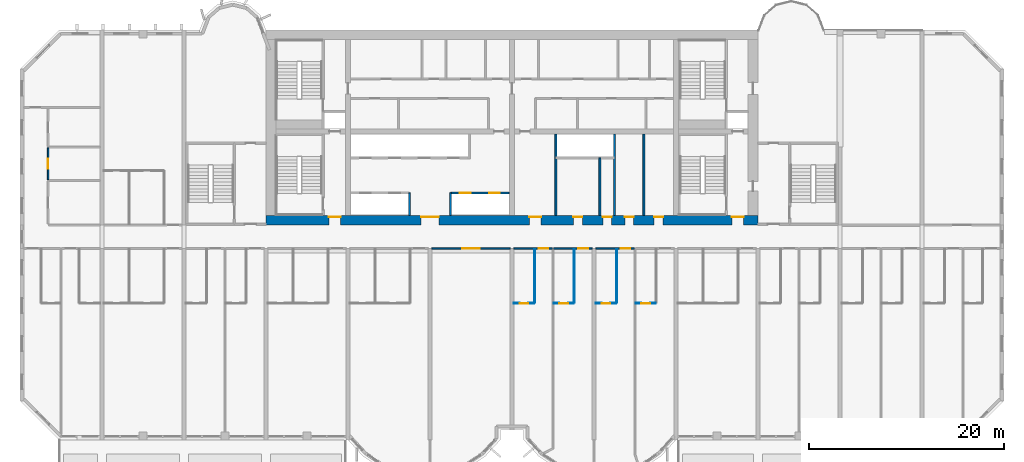
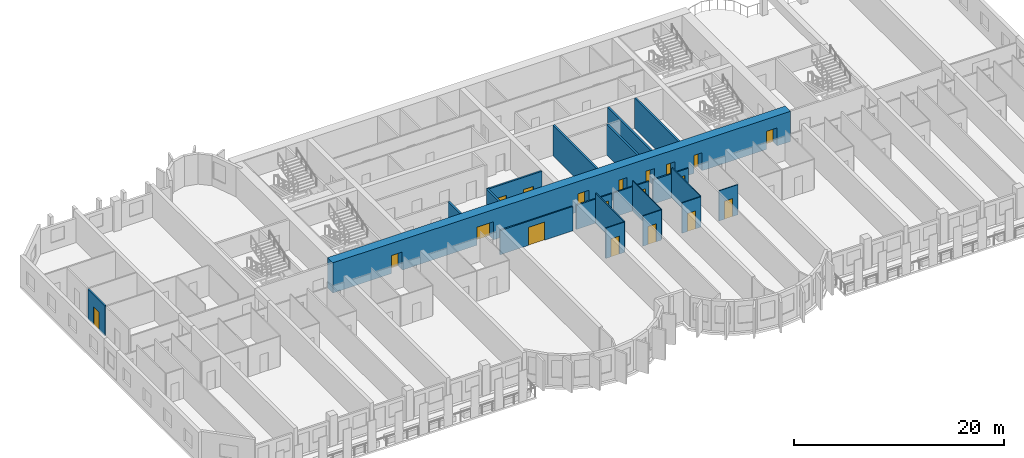
# One storey, part 5 of 14: 20 walls, 19 doors, 19 openings.
"""IFC4 building model written with IfcOpenShell, lengths in metres."""

import ifcopenshell
import ifcopenshell.guid

model = None  # the IFC model being written
_history = None  # IfcOwnerHistory: only IFC2X3 demands one
_inside = {}  # id of a spatial element -> (the spatial element, [elements in it])
_under = {}  # id of a project, library or spatial element -> (it, [spatial elements below it])
_declared = {}  # id of a project -> (the project, [libraries it declares])
_typed = {}  # id of a type object -> (the type object, [elements of that type])
_made_of = {}  # id of a material, layer set ... -> (it, [elements and type objects made of it])


def new_model(schema):
    """Start an empty IFC model of exactly this schema.

    Asked for "IFC4X3", IfcOpenShell would pick the latest addendum, in which some entities
    have other attributes; the version numbers below select the first issue.
    IFC2X3 requires an IfcOwnerHistory on every rooted entity: one is made here for all.
    """
    global model, _history
    if schema == "IFC4X3":
        model = ifcopenshell.file(schema_version=(4, 3, 0, 0))
    else:
        model = ifcopenshell.file(schema=schema)
    _inside.clear()
    _under.clear()
    _declared.clear()
    _typed.clear()
    _made_of.clear()
    _history = None
    if model.schema == "IFC2X3":
        org = make("IfcOrganization", Name="unknown")
        user = make(
            "IfcPersonAndOrganization",
            ThePerson=make("IfcPerson", FamilyName="unknown"),
            TheOrganization=org,
        )
        app = make(
            "IfcApplication",
            ApplicationDeveloper=org,
            Version="unknown",
            ApplicationFullName="unknown",
            ApplicationIdentifier="unknown",
        )
        _history = make(
            "IfcOwnerHistory",
            OwningUser=user,
            OwningApplication=app,
            ChangeAction="ADDED",
            CreationDate=0,
        )
    return model


def make(cls, **values):
    """One entity of the class cls with the attributes given. An attribute that is None is left unset."""
    return model.create_entity(
        cls, **{name: value for name, value in values.items() if value is not None}
    )


def rooted(cls, **values):
    """An entity with a GlobalId (a new one), such as an element, a storey or a relation."""
    return make(cls, GlobalId=ifcopenshell.guid.new(), OwnerHistory=_history, **values)


def si_unit(unit_type, name, prefix=None):
    """IfcSIUnit, for example si_unit("LENGTHUNIT", "METRE", prefix="MILLI")."""
    return make("IfcSIUnit", UnitType=unit_type, Prefix=prefix, Name=name)


def assignment(units):
    """IfcUnitAssignment: the units of a project."""
    return None if units is None else make("IfcUnitAssignment", Units=units)


def point(xyz):
    """IfcCartesianPoint."""
    return None if xyz is None else make("IfcCartesianPoint", Coordinates=xyz)


def direction(xyz):
    """IfcDirection."""
    return None if xyz is None else make("IfcDirection", DirectionRatios=xyz)


def frame(location, z_axis=None, x_axis=None):
    """IfcAxis2Placement3D, a coordinate frame: its origin and axes. An axis left out is left unset."""
    return make(
        "IfcAxis2Placement3D",
        Location=point(location),
        Axis=direction(z_axis),
        RefDirection=direction(x_axis),
    )


def frame_2d(location, x_axis=None):
    """IfcAxis2Placement2D, a coordinate frame in the plane: its origin and x axis."""
    return make(
        "IfcAxis2Placement2D", Location=point(location), RefDirection=direction(x_axis)
    )


def origin():
    """The frame at (0, 0, 0) with its axes left unset."""
    return frame((0.0, 0.0, 0.0))


def place(relative_to, where):
    """IfcLocalPlacement: puts the frame where relative to a parent placement (None: the world)."""
    return make(
        "IfcLocalPlacement", PlacementRelTo=relative_to, RelativePlacement=where
    )


def context(
    kind, dimensions, precision=None, world=None, true_north=None, identifier=None
):
    """IfcGeometricRepresentationContext, for example the 3D "Model" context."""
    return make(
        "IfcGeometricRepresentationContext",
        ContextIdentifier=identifier,
        ContextType=kind,
        CoordinateSpaceDimension=dimensions,
        Precision=precision,
        WorldCoordinateSystem=world,
        TrueNorth=true_north,
    )


def subcontext(parent, identifier, kind, view, scale=None):
    """IfcGeometricRepresentationSubContext, for example "Body" below "Model"."""
    return make(
        "IfcGeometricRepresentationSubContext",
        ContextIdentifier=identifier,
        ContextType=kind,
        ParentContext=parent,
        TargetScale=scale,
        TargetView=view,
    )


def project(units=None, contexts=None):
    """IfcProject with its units and contexts."""
    return rooted(
        "IfcProject",
        Name="project",
        RepresentationContexts=contexts,
        UnitsInContext=assignment(units),
    )


def spatial(cls, under=None, at=None, **own):
    """A site, building, storey or space (cls), placed at a placement, below another one or the project."""
    s = rooted(cls, ObjectPlacement=at, **own)
    if under is not None:
        _under.setdefault(under.id(), (under, []))[1].append(s)
    return s


def profile(cls, at=None, kind="AREA", **sizes):
    """A parametric profile (cls). Its sizes go by their IFC names, for example OverallWidth=200.0."""
    return make(cls, ProfileType=kind, Position=at, **sizes)


def rectangle(**sizes):
    """IfcRectangleProfileDef."""
    return profile("IfcRectangleProfileDef", **sizes)


def extrude(swept, where, along, depth):
    """IfcExtrudedAreaSolid: the profile swept, set in the frame where, extruded along a direction by depth."""
    return make(
        "IfcExtrudedAreaSolid",
        SweptArea=swept,
        Position=where,
        ExtrudedDirection=direction(along),
        Depth=depth,
    )


def shape(context_of_items, identifier, shape_type, items):
    """IfcShapeRepresentation: the items that make up one representation, for example the "Body"."""
    return make(
        "IfcShapeRepresentation",
        ContextOfItems=context_of_items,
        RepresentationIdentifier=identifier,
        RepresentationType=shape_type,
        Items=items,
    )


def source(mapping_origin, context_of_items, identifier, shape_type, items):
    """IfcRepresentationMap: a shape defined once, which mapped items show again and again."""
    return make(
        "IfcRepresentationMap",
        MappingOrigin=mapping_origin,
        MappedRepresentation=shape(context_of_items, identifier, shape_type, items),
    )


def transform(
    local_origin,
    x_axis=None,
    y_axis=None,
    z_axis=None,
    scale=None,
    scale2=None,
    scale3=None,
    uniform=True,
):
    """IfcCartesianTransformationOperator3D, or its non-uniform kind. x_axis, y_axis, z_axis: its Axis1, 2, 3."""
    if uniform:
        return make(
            "IfcCartesianTransformationOperator3D",
            Axis1=direction(x_axis),
            Axis2=direction(y_axis),
            LocalOrigin=point(local_origin),
            Scale=scale,
            Axis3=direction(z_axis),
        )
    return make(
        "IfcCartesianTransformationOperator3DnonUniform",
        Axis1=direction(x_axis),
        Axis2=direction(y_axis),
        LocalOrigin=point(local_origin),
        Scale=scale,
        Axis3=direction(z_axis),
        Scale2=scale2,
        Scale3=scale3,
    )


def mapped(mapping_source, mapping_target):
    """IfcMappedItem: shows the shape of a source again, moved by a transform."""
    return make(
        "IfcMappedItem", MappingSource=mapping_source, MappingTarget=mapping_target
    )


def material(Name=None, Category=None):
    """IfcMaterial."""
    return make("IfcMaterial", Name=Name, Category=Category)


def layer(
    of_material, thickness, ventilated=None, Name=None, Category=None, Priority=None
):
    """IfcMaterialLayer: one layer of a wall or slab, of a material (None: an air gap)."""
    return make(
        "IfcMaterialLayer",
        Material=of_material,
        LayerThickness=thickness,
        IsVentilated=ventilated,
        Name=Name,
        Category=Category,
        Priority=Priority,
    )


def layer_set(layers, Name=None):
    """IfcMaterialLayerSet."""
    return make("IfcMaterialLayerSet", MaterialLayers=layers, LayerSetName=Name)


def made_of(thing, what):
    """Note that an element or type object is made of a material, layer set ...; save() writes the relation."""
    if what is not None:
        _made_of.setdefault(what.id(), (what, []))[1].append(thing)
    return thing


def type_object(cls, material=None, **own):
    """A type object (cls), such as IfcWallType, which elements share."""
    return made_of(rooted(cls, **own), material)


def element(
    cls,
    number,
    at=None,
    inside=None,
    cuts=None,
    type_object=None,
    material=None,
    context=None,
    identifier="Body",
    shape_type=None,
    held_by="IfcProductDefinitionShape",
    body=None,
    shapes=None,
    **own,
):
    """One element of the class cls, such as IfcWall. Its Tag is "e" and its number.

    at: its placement. inside: the storey or other place that contains it. cuts: it is an
    opening in that element (IfcRelVoidsElement). A single representation is given by context,
    identifier, shape_type and body (its items); several are given by shapes. held_by: the class
    of the entity that holds the representations. save() writes the other relations.
    """
    e = rooted(cls, Tag="e%d" % number, ObjectPlacement=at, **own)
    if body is not None:
        shapes = [shape(context, identifier, shape_type, body)]
    if shapes is not None:
        e.Representation = make(held_by, Representations=shapes)
    if inside is not None:
        _inside.setdefault(inside.id(), (inside, []))[1].append(e)
    if cuts is not None:
        rooted(
            "IfcRelVoidsElement", RelatingBuildingElement=cuts, RelatedOpeningElement=e
        )
    if type_object is not None:
        _typed.setdefault(type_object.id(), (type_object, []))[1].append(e)
    return made_of(e, material)


def fill(opening, filler):
    """IfcRelFillsElement: the door or window that sits in an opening."""
    return rooted(
        "IfcRelFillsElement",
        RelatingOpeningElement=opening,
        RelatedBuildingElement=filler,
    )


def aggregate(whole, parts):
    """IfcRelAggregates: a whole, such as a stair, and the parts it consists of."""
    return rooted("IfcRelAggregates", RelatingObject=whole, RelatedObjects=parts)


def save(model, path):
    """Write the relations noted so far, then the file.

    IfcRelAggregates (storeys below a building ...), IfcRelContainedInSpatialStructure (elements
    in a storey), IfcRelDefinesByType, IfcRelAssociatesMaterial and IfcRelDeclares: one each for
    every whole, place, type object, material and project.
    """
    for whole, parts in _under.values():
        aggregate(whole, parts)
    for where, things in _inside.values():
        rooted(
            "IfcRelContainedInSpatialStructure",
            RelatedElements=things,
            RelatingStructure=where,
        )
    for kind, things in _typed.values():
        rooted("IfcRelDefinesByType", RelatedObjects=things, RelatingType=kind)
    for what, things in _made_of.values():
        rooted("IfcRelAssociatesMaterial", RelatedObjects=things, RelatingMaterial=what)
    for by, libraries in _declared.values():
        rooted("IfcRelDeclares", RelatingContext=by, RelatedDefinitions=libraries)
    model.write(path)


model = new_model("IFC4")

# Units and contexts
model_context = context("Model", 3, precision=1e-05, world=origin(), true_north=direction((0.0, 1.0)))
body_context = subcontext(model_context, "Body", "Model", "MODEL_VIEW")
ifc_project = project(units=[si_unit("LENGTHUNIT", "METRE"), si_unit("AREAUNIT", "SQUARE_METRE"), si_unit("VOLUMEUNIT", "CUBIC_METRE"), si_unit("PLANEANGLEUNIT", "RADIAN"), si_unit("MASSUNIT", "GRAM", prefix="KILO")], contexts=[model_context])

# Site, building, storey
site_placement = place(None, origin())
site = spatial("IfcSite", under=ifc_project, at=site_placement, CompositionType="ELEMENT")
building_placement = place(site_placement, origin())
building = spatial("IfcBuilding", under=site, at=building_placement, Name="Vanashikhar Sky Hotel", CompositionType="ELEMENT")
storey_placement = place(building_placement, frame((0.0, 0.0, 58.199951171875)))
storey = spatial("IfcBuildingStorey", under=building, at=storey_placement, Name="L13", CompositionType="ELEMENT", Elevation=58.199951171875)

# Wall, openings, doors
ifc_material_1 = material(Name="Concrete M80", Category="concrete")
ifc_layer_1 = layer(ifc_material_1, 1.0)
ifc_layer_set_1 = layer_set([ifc_layer_1], Name="RC core shell wall 1000 Concrete M80")
wall_type_1 = type_object("IfcWallType", Name="RC core shell wall 1000 Concrete M80", PredefinedType="SHEAR", material=ifc_layer_set_1)
shared_shape_1 = source(origin(), body_context, "Body", "SweptSolid", [
    extrude(rectangle(XDim=50.400146484375, YDim=1.0, at=frame_2d((25.2001953125, 0.0))), origin(), (0.0, 0.0, 1.0), 3.52001953125),
])
wall_1_placement = place(storey_placement, frame((25.199951171875, 22.5, 0.0), z_axis=(0.0, 0.0, 1.0), x_axis=(1.0, 0.0, 0.0)))
wall_1 = element("IfcWall", 1, at=wall_1_placement, inside=storey, type_object=wall_type_1, Name="KW-L13-KS", PredefinedType="SHEAR", context=body_context, shape_type="MappedRepresentation", body=[
    mapped(shared_shape_1, transform((0.0, 0.0, 0.0), scale=1.0)),
])
shared_shape_2 = source(origin(), body_context, "Body", "SweptSolid", [
    extrude(rectangle(XDim=1.800048828125, YDim=2.10009765625, at=frame_2d((0.89990234375, 1.050048828125))), frame((0.0, 0.510009765625, 0.0), z_axis=(0.0, -1.0, 0.0), x_axis=(1.0, 0.0, 0.0)), (0.0, 0.0, 1.0), 1.02001953125),
])
opening_1_placement = place(wall_1_placement, frame((15.89990234375, 0.0, 0.0)))
opening_1 = element("IfcOpeningElement", 2, at=opening_1_placement, cuts=wall_1, Name="Opening DC-3-A", PredefinedType="OPENING", context=body_context, shape_type="MappedRepresentation", body=[
    mapped(shared_shape_2, transform((0.0, 0.0, 0.0), scale=1.0)),
])
shared_shape_3 = source(origin(), body_context, "Body", "SweptSolid", [
    extrude(rectangle(XDim=1.199951171875, YDim=2.10009765625, at=frame_2d((0.60009765625, 1.050048828125))), frame((0.0, 0.510009765625, 0.0), z_axis=(0.0, -1.0, 0.0), x_axis=(1.0, 0.0, 0.0)), (0.0, 0.0, 1.0), 1.02001953125),
])
opening_2_placement = place(wall_1_placement, frame((26.987060546875, 0.0, 0.0)))
opening_2 = element("IfcOpeningElement", 3, at=opening_2_placement, cuts=wall_1, Name="Opening DC-4-B", PredefinedType="OPENING", context=body_context, shape_type="MappedRepresentation", body=[
    mapped(shared_shape_3, transform((0.0, 0.0, 0.0), scale=1.0)),
])
shared_shape_4 = source(origin(), body_context, "Body", "SweptSolid", [
    extrude(rectangle(XDim=0.89990234375, YDim=2.10009765625, at=frame_2d((0.449951171875, 1.050048828125))), frame((0.0, 0.510009765625, 0.0), z_axis=(0.0, -1.0, 0.0), x_axis=(1.0, 0.0, 0.0)), (0.0, 0.0, 1.0), 1.02001953125),
])
opening_3_placement = place(wall_1_placement, frame((34.5, 0.0, 0.0)))
opening_3 = element("IfcOpeningElement", 4, at=opening_3_placement, cuts=wall_1, Name="Opening DC-4-A", PredefinedType="OPENING", context=body_context, shape_type="MappedRepresentation", body=[
    mapped(shared_shape_4, transform((0.0, 0.0, 0.0), scale=1.0)),
])
opening_4_placement = place(wall_1_placement, frame((31.5, 0.0, 0.0)))
opening_4 = element("IfcOpeningElement", 5, at=opening_4_placement, cuts=wall_1, Name="Opening DC-4-A", PredefinedType="OPENING", context=body_context, shape_type="MappedRepresentation", body=[
    mapped(shared_shape_4, transform((0.0, 0.0, 0.0), scale=1.0)),
])
opening_5_placement = place(wall_1_placement, frame((39.76904296875, 0.0, 0.0)))
opening_5 = element("IfcOpeningElement", 6, at=opening_5_placement, cuts=wall_1, Name="Opening DC-4-A", PredefinedType="OPENING", context=body_context, shape_type="MappedRepresentation", body=[
    mapped(shared_shape_4, transform((0.0, 0.0, 0.0), scale=1.0)),
])
opening_6_placement = place(wall_1_placement, frame((36.756103515625, 0.0, 0.0)))
opening_6 = element("IfcOpeningElement", 7, at=opening_6_placement, cuts=wall_1, Name="Opening DC-4-A", PredefinedType="OPENING", context=body_context, shape_type="MappedRepresentation", body=[
    mapped(shared_shape_4, transform((0.0, 0.0, 0.0), scale=1.0)),
])
opening_7_placement = place(wall_1_placement, frame((6.43798828125, 0.0, 0.0)))
opening_7 = element("IfcOpeningElement", 8, at=opening_7_placement, cuts=wall_1, Name="Opening DC-2", PredefinedType="OPENING", context=body_context, shape_type="MappedRepresentation", body=[
    mapped(shared_shape_3, transform((0.0, 0.0, 0.0), scale=1.0)),
])
opening_8_placement = place(wall_1_placement, frame((47.72509765625, 0.0, 0.0)))
opening_8 = element("IfcOpeningElement", 9, at=opening_8_placement, cuts=wall_1, Name="Opening DC-2", PredefinedType="OPENING", context=body_context, shape_type="MappedRepresentation", body=[
    mapped(shared_shape_3, transform((0.0, 0.0, 0.0), scale=1.0)),
])
ifc_material_2 = material(Name="Glass", Category="glass")
door_type_1 = type_object("IfcDoorType", Name="Lift lobby entrance door 1800 FD30S", OperationType="NOTDEFINED", PredefinedType="DOOR", material=ifc_material_2)
shared_shape_5 = source(origin(), body_context, "Body", "SweptSolid", [
    extrude(rectangle(XDim=1.800048828125, YDim=2.10009765625, at=frame_2d((0.89990234375, 1.050048828125))), frame((0.0, 0.375, 0.0), z_axis=(0.0, -1.0, 0.0), x_axis=(1.0, 0.0, 0.0)), (0.0, 0.0, 1.0), 0.050048828125),
])
door_1_placement = place(opening_1_placement, origin())
door_1 = element("IfcDoor", 10, at=door_1_placement, inside=storey, type_object=door_type_1, Name="Lift lobby entrance door 1800 FD30S", OperationType="DOUBLE_DOOR_SINGLE_SWING", OverallHeight=2.10009765625, OverallWidth=1.800048828125, PredefinedType="DOOR", context=body_context, shape_type="MappedRepresentation", body=[
    mapped(shared_shape_5, transform((0.0, 0.0, 0.0), scale=1.0)),
])
fill(opening_1, door_1)
ifc_material_3 = material(Name="Steel", Category="steel")
door_type_2 = type_object("IfcDoorType", Name="Service door 1200 FD60", OperationType="NOTDEFINED", PredefinedType="DOOR", material=ifc_material_3)
shared_shape_6 = source(origin(), body_context, "Body", "SweptSolid", [
    extrude(rectangle(XDim=1.199951171875, YDim=2.10009765625, at=frame_2d((0.60009765625, 1.050048828125))), frame((0.0, 0.375, 0.0), z_axis=(0.0, -1.0, 0.0), x_axis=(1.0, 0.0, 0.0)), (0.0, 0.0, 1.0), 0.050048828125),
])
door_2_placement = place(opening_2_placement, origin())
door_2 = element("IfcDoor", 11, at=door_2_placement, inside=storey, type_object=door_type_2, Name="Service door 1200 FD60", OperationType="SINGLE_SWING_LEFT", OverallHeight=2.10009765625, OverallWidth=1.199951171875, PredefinedType="DOOR", context=body_context, shape_type="MappedRepresentation", body=[
    mapped(shared_shape_6, transform((0.0, 0.0, 0.0), scale=1.0)),
])
fill(opening_2, door_2)
door_type_3 = type_object("IfcDoorType", Name="Firefighting lobby door 1200 FD120", OperationType="NOTDEFINED", PredefinedType="DOOR", material=ifc_material_3)
door_3_placement = place(opening_7_placement, origin())
door_3 = element("IfcDoor", 12, at=door_3_placement, inside=storey, type_object=door_type_3, Name="Firefighting lobby door 1200 FD120", OperationType="SINGLE_SWING_LEFT", OverallHeight=2.10009765625, OverallWidth=1.199951171875, PredefinedType="DOOR", context=body_context, shape_type="MappedRepresentation", body=[
    mapped(shared_shape_6, transform((0.0, 0.0, 0.0), scale=1.0)),
])
fill(opening_7, door_3)
door_4_placement = place(opening_8_placement, origin())
door_4 = element("IfcDoor", 13, at=door_4_placement, inside=storey, type_object=door_type_3, Name="Firefighting lobby door 1200 FD120", OperationType="SINGLE_SWING_RIGHT", OverallHeight=2.10009765625, OverallWidth=1.199951171875, PredefinedType="DOOR", context=body_context, shape_type="MappedRepresentation", body=[
    mapped(shared_shape_6, transform((0.0, 0.0, 0.0), scale=1.0)),
])
fill(opening_8, door_4)
door_type_4 = type_object("IfcDoorType", Name="Service door 900 FD60", OperationType="NOTDEFINED", PredefinedType="DOOR", material=ifc_material_3)
shared_shape_7 = source(origin(), body_context, "Body", "SweptSolid", [
    extrude(rectangle(XDim=0.89990234375, YDim=2.10009765625, at=frame_2d((0.449951171875, 1.050048828125))), frame((0.0, 0.375, 0.0), z_axis=(0.0, -1.0, 0.0), x_axis=(1.0, 0.0, 0.0)), (0.0, 0.0, 1.0), 0.050048828125),
])
door_5_placement = place(opening_3_placement, origin())
door_5 = element("IfcDoor", 14, at=door_5_placement, inside=storey, type_object=door_type_4, Name="Service door 900 FD60", OperationType="SINGLE_SWING_LEFT", OverallHeight=2.10009765625, OverallWidth=0.89990234375, PredefinedType="DOOR", context=body_context, shape_type="MappedRepresentation", body=[
    mapped(shared_shape_7, transform((0.0, 0.0, 0.0), scale=1.0)),
])
fill(opening_3, door_5)
door_6_placement = place(opening_4_placement, origin())
door_6 = element("IfcDoor", 15, at=door_6_placement, inside=storey, type_object=door_type_4, Name="Service door 900 FD60", OperationType="SINGLE_SWING_RIGHT", OverallHeight=2.10009765625, OverallWidth=0.89990234375, PredefinedType="DOOR", context=body_context, shape_type="MappedRepresentation", body=[
    mapped(shared_shape_7, transform((0.0, 0.0, 0.0), scale=1.0)),
])
fill(opening_4, door_6)
door_7_placement = place(opening_5_placement, origin())
door_7 = element("IfcDoor", 16, at=door_7_placement, inside=storey, type_object=door_type_4, Name="Service door 900 FD60", OperationType="SINGLE_SWING_LEFT", OverallHeight=2.10009765625, OverallWidth=0.89990234375, PredefinedType="DOOR", context=body_context, shape_type="MappedRepresentation", body=[
    mapped(shared_shape_7, transform((0.0, 0.0, 0.0), scale=1.0)),
])
fill(opening_5, door_7)
door_8_placement = place(opening_6_placement, origin())
door_8 = element("IfcDoor", 17, at=door_8_placement, inside=storey, type_object=door_type_4, Name="Service door 900 FD60", OperationType="SINGLE_SWING_RIGHT", OverallHeight=2.10009765625, OverallWidth=0.89990234375, PredefinedType="DOOR", context=body_context, shape_type="MappedRepresentation", body=[
    mapped(shared_shape_7, transform((0.0, 0.0, 0.0), scale=1.0)),
])
fill(opening_6, door_8)

ifc_material_4 = material(Name="Concrete M40", Category="concrete")
ifc_layer_2 = layer(ifc_material_4, 0.199951171875)
ifc_layer_set_2 = layer_set([ifc_layer_2], Name="Shaft wall 200")
wall_type_2 = type_object("IfcWallType", Name="Shaft wall 200", PredefinedType="SOLIDWALL", material=ifc_layer_set_2)
shared_shape_8 = source(origin(), body_context, "Body", "SweptSolid", [
    extrude(rectangle(XDim=6.0, YDim=0.199951171875, at=frame_2d((3.0, 0.0))), origin(), (0.0, 0.0, 1.0), 3.52001953125),
])
wall_2_placement = place(storey_placement, frame((44.10009765625, 25.300048828125, 0.0), z_axis=(0.0, 0.0, 1.0), x_axis=(1.0, 0.0, 0.0)))
wall_2 = element("IfcWall", 18, at=wall_2_placement, inside=storey, type_object=wall_type_2, Name="Shaft wall 200", PredefinedType="SOLIDWALL", context=body_context, shape_type="MappedRepresentation", body=[
    mapped(shared_shape_8, transform((0.0, 0.0, 0.0), scale=1.0)),
])
shared_shape_9 = source(origin(), body_context, "Body", "SweptSolid", [
    extrude(rectangle(XDim=1.10009765625, YDim=2.10009765625, at=frame_2d((0.550048828125, 1.050048828125))), frame((0.0, 0.10986328125, 0.0), z_axis=(0.0, -1.0, 0.0), x_axis=(1.0, 0.0, 0.0)), (0.0, 0.0, 1.0), 0.219970703125),
])
opening_9_placement = place(wall_2_placement, frame((0.949951171875, 0.0, 0.0)))
opening_9 = element("IfcOpeningElement", 19, at=opening_9_placement, cuts=wall_2, Name="Opening LD", PredefinedType="OPENING", context=body_context, shape_type="MappedRepresentation", body=[
    mapped(shared_shape_9, transform((0.0, 0.0, 0.0), scale=1.0)),
])
opening_10_placement = place(wall_2_placement, frame((3.949951171875, 0.0, 0.0)))
opening_10 = element("IfcOpeningElement", 20, at=opening_10_placement, cuts=wall_2, Name="Opening LD", PredefinedType="OPENING", context=body_context, shape_type="MappedRepresentation", body=[
    mapped(shared_shape_9, transform((0.0, 0.0, 0.0), scale=1.0)),
])
ifc_material_5 = material(Name="Stainless steel", Category="steel")
door_type_5 = type_object("IfcDoorType", Name="Lift landing door 1100", OperationType="NOTDEFINED", PredefinedType="DOOR", material=ifc_material_5)
shared_shape_10 = source(origin(), body_context, "Body", "SweptSolid", [
    extrude(rectangle(XDim=1.10009765625, YDim=2.10009765625, at=frame_2d((0.550048828125, 1.050048828125))), frame((0.0, 0.02490234375, 0.0), z_axis=(0.0, -1.0, 0.0), x_axis=(1.0, 0.0, 0.0)), (0.0, 0.0, 1.0), 0.050048828125),
])
door_9_placement = place(opening_9_placement, origin())
door_9 = element("IfcDoor", 21, at=door_9_placement, inside=storey, type_object=door_type_5, Name="Lift landing door 1100", OperationType="SLIDING_TO_LEFT", OverallHeight=2.10009765625, OverallWidth=1.10009765625, PredefinedType="DOOR", context=body_context, shape_type="MappedRepresentation", body=[
    mapped(shared_shape_10, transform((0.0, 0.0, 0.0), scale=1.0)),
])
fill(opening_9, door_9)
door_10_placement = place(opening_10_placement, origin())
door_10 = element("IfcDoor", 22, at=door_10_placement, inside=storey, type_object=door_type_5, Name="Lift landing door 1100", OperationType="SLIDING_TO_RIGHT", OverallHeight=2.10009765625, OverallWidth=1.10009765625, PredefinedType="DOOR", context=body_context, shape_type="MappedRepresentation", body=[
    mapped(shared_shape_10, transform((0.0, 0.0, 0.0), scale=1.0)),
])
fill(opening_10, door_10)

# Walls
shared_shape_11 = source(origin(), body_context, "Body", "SweptSolid", [
    extrude(rectangle(XDim=2.300048828125, YDim=0.199951171875, at=frame_2d((1.14990234375, 0.0))), origin(), (0.0, 0.0, 1.0), 3.52001953125),
])
for number, where, z_axis, x_axis, name in (
    (23, (39.89990234375, 23.0, 0.0), (0.0, 0.0, 1.0), (0.0, 1.0, 0.0), "Shaft wall 200"),
    (24, (44.10009765625, 23.0, 0.0), (0.0, 0.0, 1.0), (0.0, 1.0, 0.0), "Shaft wall 200"),
):
    element("IfcWall", number, at=place(storey_placement, frame(where, z_axis=z_axis, x_axis=x_axis)), inside=storey, type_object=wall_type_2, Name=name, PredefinedType="SOLIDWALL", context=body_context, shape_type="MappedRepresentation", body=[
        mapped(shared_shape_11, transform((0.0, 0.0, 0.0), scale=1.0)),
    ])
ifc_material_6 = material(Name="Gypsum board partition")
ifc_layer_3 = layer(ifc_material_6, 0.14990234375)
ifc_layer_set_3 = layer_set([ifc_layer_3], Name="Service partition 150")
wall_type_3 = type_object("IfcWallType", Name="Service partition 150", PredefinedType="PARTITIONING", material=ifc_layer_set_3)
shared_shape_12 = source(origin(), body_context, "Body", "SweptSolid", [
    extrude(rectangle(XDim=8.324951171875, YDim=0.199951171875, at=frame_2d((4.16259765625, 0.0))), origin(), (0.0, 0.0, 1.0), 3.52001953125),
])
for number, where, z_axis, x_axis, name in (
    (25, (54.89990234375, 23.0, 0.0), (0.0, 0.0, 1.0), (0.0, 1.0, 0.0), "Service partition 150"),
    (26, (60.89990234375, 23.0, 0.0), (0.0, 0.0, 1.0), (0.0, 1.0, 0.0), "Service partition 150"),
    (27, (63.912109375, 23.0, 0.0), (0.0, 0.0, 1.0), (0.0, 1.0, 0.0), "Service partition 150"),
):
    element("IfcWall", number, at=place(storey_placement, frame(where, z_axis=z_axis, x_axis=x_axis)), inside=storey, type_object=wall_type_3, Name=name, PredefinedType="PARTITIONING", context=body_context, shape_type="MappedRepresentation", body=[
        mapped(shared_shape_12, transform((0.0, 0.0, 0.0), scale=1.0)),
    ])
shared_shape_13 = source(origin(), body_context, "Body", "SweptSolid", [
    extrude(rectangle(XDim=5.89990234375, YDim=0.199951171875, at=frame_2d((2.949951171875, 0.0))), origin(), (0.0, 0.0, 1.0), 3.52001953125),
])
wall_3_placement = place(storey_placement, frame((59.39990234375, 23.0, 0.0), z_axis=(0.0, 0.0, 1.0), x_axis=(0.0, 1.0, 0.0)))
element("IfcWall", 28, at=wall_3_placement, inside=storey, type_object=wall_type_3, Name="Service partition 150", PredefinedType="PARTITIONING", context=body_context, shape_type="MappedRepresentation", body=[
    mapped(shared_shape_13, transform((0.0, 0.0, 0.0), scale=1.0)),
])

# Wall, opening, door
ifc_material_7 = material(Name="Gypsum plasterboard partition")
ifc_layer_4 = layer(ifc_material_7, 0.14990234375)
ifc_layer_set_4 = layer_set([ifc_layer_4], Name="Corridor and demising partition 150")
wall_type_4 = type_object("IfcWallType", Name="Corridor and demising partition 150", PredefinedType="PARTITIONING", material=ifc_layer_set_4)
shared_shape_14 = source(origin(), body_context, "Body", "SweptSolid", [
    extrude(rectangle(XDim=3.25, YDim=0.14990234375, at=frame_2d((1.625, 0.0))), origin(), (0.0, 0.0, 1.0), 3.52001953125),
])
wall_4_placement = place(storey_placement, frame((2.875, 26.675048828125, 0.0), z_axis=(0.0, 0.0, 1.0), x_axis=(0.0, 1.0, 0.0)))
wall_4 = element("IfcWall", 29, at=wall_4_placement, inside=storey, type_object=wall_type_4, Name="W-L13-PW076", PredefinedType="PARTITIONING", context=body_context, shape_type="MappedRepresentation", body=[
    mapped(shared_shape_14, transform((0.0, 0.0, 0.0), scale=1.0)),
])
shared_shape_15 = source(origin(), body_context, "Body", "SweptSolid", [
    extrude(rectangle(XDim=1.0, YDim=2.10009765625, at=frame_2d((0.5, 1.050048828125))), frame((0.0, 0.0849609375, 0.0), z_axis=(0.0, -1.0, 0.0), x_axis=(1.0, 0.0, 0.0)), (0.0, 0.0, 1.0), 0.169921875),
])
opening_11_placement = place(wall_4_placement, frame((1.125, 0.0, 0.0)))
opening_11 = element("IfcOpeningElement", 30, at=opening_11_placement, cuts=wall_4, Name="Opening D-01", PredefinedType="OPENING", context=body_context, shape_type="MappedRepresentation", body=[
    mapped(shared_shape_15, transform((0.0, 0.0, 0.0), scale=1.0)),
])
ifc_material_8 = material(Name="Timber fire door", Category="wood")
door_type_6 = type_object("IfcDoorType", Name="Guest entry door 1000 FD30S", OperationType="NOTDEFINED", PredefinedType="DOOR", material=ifc_material_8)
shared_shape_16 = source(origin(), body_context, "Body", "SweptSolid", [
    extrude(rectangle(XDim=1.0, YDim=2.10009765625, at=frame_2d((0.5, 1.050048828125))), frame((0.0, 0.02490234375, 0.0), z_axis=(0.0, -1.0, 0.0), x_axis=(1.0, 0.0, 0.0)), (0.0, 0.0, 1.0), 0.050048828125),
])
door_11_placement = place(opening_11_placement, origin())
door_11 = element("IfcDoor", 31, at=door_11_placement, inside=storey, type_object=door_type_6, Name="D-L13-043", OperationType="SINGLE_SWING_LEFT", OverallHeight=2.10009765625, OverallWidth=1.0, PredefinedType="DOOR", context=body_context, shape_type="MappedRepresentation", body=[
    mapped(shared_shape_16, transform((0.0, 0.0, 0.0), scale=1.0)),
])
fill(opening_11, door_11)

ifc_layer_5 = layer(ifc_material_7, 0.10009765625)
ifc_layer_set_5 = layer_set([ifc_layer_5], Name="Wet room partition 100")
wall_type_5 = type_object("IfcWallType", Name="Wet room partition 100", PredefinedType="PARTITIONING", material=ifc_layer_set_5)
shared_shape_17 = source(origin(), body_context, "Body", "SweptSolid", [
    extrude(rectangle(XDim=2.074951171875, YDim=0.10009765625, at=frame_2d((1.03759765625, 0.0))), origin(), (0.0, 0.0, 1.0), 3.52001953125),
])
wall_5_placement = place(storey_placement, frame((50.60009765625, 14.0, 0.0), z_axis=(0.0, 0.0, 1.0), x_axis=(1.0, 0.0, 0.0)))
wall_5 = element("IfcWall", 32, at=wall_5_placement, inside=storey, type_object=wall_type_5, Name="W-L13-PW032", PredefinedType="PARTITIONING", context=body_context, shape_type="MappedRepresentation", body=[
    mapped(shared_shape_17, transform((0.0, 0.0, 0.0), scale=1.0)),
])
shared_shape_18 = source(origin(), body_context, "Body", "SweptSolid", [
    extrude(rectangle(XDim=0.89990234375, YDim=2.10009765625, at=frame_2d((0.449951171875, 1.050048828125))), frame((0.0, 0.06005859375, 0.0), z_axis=(0.0, -1.0, 0.0), x_axis=(1.0, 0.0, 0.0)), (0.0, 0.0, 1.0), 0.1201171875),
])
opening_12_placement = place(wall_5_placement, frame((0.5869140625, 0.0, 0.0)))
opening_12 = element("IfcOpeningElement", 33, at=opening_12_placement, cuts=wall_5, Name="Opening D-02", PredefinedType="OPENING", context=body_context, shape_type="MappedRepresentation", body=[
    mapped(shared_shape_18, transform((0.0, 0.0, 0.0), scale=1.0)),
])
ifc_material_9 = material(Name="Timber door", Category="wood")
door_type_7 = type_object("IfcDoorType", Name="Internal door 900", OperationType="NOTDEFINED", PredefinedType="DOOR", material=ifc_material_9)
shared_shape_19 = source(origin(), body_context, "Body", "SweptSolid", [
    extrude(rectangle(XDim=0.89990234375, YDim=2.10009765625, at=frame_2d((0.449951171875, 1.050048828125))), frame((0.0, 0.02490234375, 0.0), z_axis=(0.0, -1.0, 0.0), x_axis=(1.0, 0.0, 0.0)), (0.0, 0.0, 1.0), 0.050048828125),
])
door_12_placement = place(opening_12_placement, origin())
door_12 = element("IfcDoor", 34, at=door_12_placement, inside=storey, type_object=door_type_7, Name="D-L13-019", OperationType="SINGLE_SWING_RIGHT", OverallHeight=2.10009765625, OverallWidth=0.89990234375, PredefinedType="DOOR", context=body_context, shape_type="MappedRepresentation", body=[
    mapped(shared_shape_19, transform((0.0, 0.0, 0.0), scale=1.0)),
])
fill(opening_12, door_12)

wall_6_placement = place(storey_placement, frame((54.675048828125, 14.0, 0.0), z_axis=(0.0, 0.0, 1.0), x_axis=(1.0, 0.0, 0.0)))
wall_6 = element("IfcWall", 35, at=wall_6_placement, inside=storey, type_object=wall_type_5, Name="W-L13-PW035", PredefinedType="PARTITIONING", context=body_context, shape_type="MappedRepresentation", body=[
    mapped(shared_shape_17, transform((0.0, 0.0, 0.0), scale=1.0)),
])
opening_13_placement = place(wall_6_placement, frame((0.587890625, 0.0, 0.0)))
opening_13 = element("IfcOpeningElement", 36, at=opening_13_placement, cuts=wall_6, Name="Opening D-02", PredefinedType="OPENING", context=body_context, shape_type="MappedRepresentation", body=[
    mapped(shared_shape_18, transform((0.0, 0.0, 0.0), scale=1.0)),
])
door_13_placement = place(opening_13_placement, origin())
door_13 = element("IfcDoor", 37, at=door_13_placement, inside=storey, type_object=door_type_7, Name="D-L13-021", OperationType="SINGLE_SWING_RIGHT", OverallHeight=2.10009765625, OverallWidth=0.89990234375, PredefinedType="DOOR", context=body_context, shape_type="MappedRepresentation", body=[
    mapped(shared_shape_19, transform((0.0, 0.0, 0.0), scale=1.0)),
])
fill(opening_13, door_13)

wall_7_placement = place(storey_placement, frame((59.0, 14.0, 0.0), z_axis=(0.0, 0.0, 1.0), x_axis=(1.0, 0.0, 0.0)))
wall_7 = element("IfcWall", 38, at=wall_7_placement, inside=storey, type_object=wall_type_5, Name="W-L13-PW039", PredefinedType="PARTITIONING", context=body_context, shape_type="MappedRepresentation", body=[
    mapped(shared_shape_17, transform((0.0, 0.0, 0.0), scale=1.0)),
])
opening_14_placement = place(wall_7_placement, frame((0.5869140625, 0.0, 0.0)))
opening_14 = element("IfcOpeningElement", 39, at=opening_14_placement, cuts=wall_7, Name="Opening D-02", PredefinedType="OPENING", context=body_context, shape_type="MappedRepresentation", body=[
    mapped(shared_shape_18, transform((0.0, 0.0, 0.0), scale=1.0)),
])
door_14_placement = place(opening_14_placement, origin())
door_14 = element("IfcDoor", 40, at=door_14_placement, inside=storey, type_object=door_type_7, Name="D-L13-023", OperationType="SINGLE_SWING_RIGHT", OverallHeight=2.10009765625, OverallWidth=0.89990234375, PredefinedType="DOOR", context=body_context, shape_type="MappedRepresentation", body=[
    mapped(shared_shape_19, transform((0.0, 0.0, 0.0), scale=1.0)),
])
fill(opening_14, door_14)

wall_8_placement = place(storey_placement, frame((63.074951171875, 14.0, 0.0), z_axis=(0.0, 0.0, 1.0), x_axis=(1.0, 0.0, 0.0)))
wall_8 = element("IfcWall", 41, at=wall_8_placement, inside=storey, type_object=wall_type_5, Name="W-L13-PW042", PredefinedType="PARTITIONING", context=body_context, shape_type="MappedRepresentation", body=[
    mapped(shared_shape_17, transform((0.0, 0.0, 0.0), scale=1.0)),
])
opening_15_placement = place(wall_8_placement, frame((0.587890625, 0.0, 0.0)))
opening_15 = element("IfcOpeningElement", 42, at=opening_15_placement, cuts=wall_8, Name="Opening D-02", PredefinedType="OPENING", context=body_context, shape_type="MappedRepresentation", body=[
    mapped(shared_shape_18, transform((0.0, 0.0, 0.0), scale=1.0)),
])
door_15_placement = place(opening_15_placement, origin())
door_15 = element("IfcDoor", 43, at=door_15_placement, inside=storey, type_object=door_type_7, Name="D-L13-025", OperationType="SINGLE_SWING_RIGHT", OverallHeight=2.10009765625, OverallWidth=0.89990234375, PredefinedType="DOOR", context=body_context, shape_type="MappedRepresentation", body=[
    mapped(shared_shape_19, transform((0.0, 0.0, 0.0), scale=1.0)),
])
fill(opening_15, door_15)

shared_shape_20 = source(origin(), body_context, "Body", "SweptSolid", [
    extrude(rectangle(XDim=3.9248046875, YDim=0.14990234375, at=frame_2d((1.96240234375, 0.0))), origin(), (0.0, 0.0, 1.0), 2.820068359375),
])
wall_9_placement = place(storey_placement, frame((50.60009765625, 19.60009765625, 0.0), z_axis=(0.0, 0.0, 1.0), x_axis=(1.0, 0.0, 0.0)))
wall_9 = element("IfcWall", 44, at=wall_9_placement, inside=storey, type_object=wall_type_4, Name="W-L13-PW033", PredefinedType="PARTITIONING", context=body_context, shape_type="MappedRepresentation", body=[
    mapped(shared_shape_20, transform((0.0, 0.0, 0.0), scale=1.0)),
])
opening_16_placement = place(wall_9_placement, frame((2.52490234375, 0.0, 0.0)))
opening_16 = element("IfcOpeningElement", 45, at=opening_16_placement, cuts=wall_9, Name="Opening D-01", PredefinedType="OPENING", context=body_context, shape_type="MappedRepresentation", body=[
    mapped(shared_shape_15, transform((0.0, 0.0, 0.0), scale=1.0)),
])
door_16_placement = place(opening_16_placement, origin())
door_16 = element("IfcDoor", 46, at=door_16_placement, inside=storey, type_object=door_type_6, Name="D-L13-020", OperationType="SINGLE_SWING_RIGHT", OverallHeight=2.10009765625, OverallWidth=1.0, PredefinedType="DOOR", context=body_context, shape_type="MappedRepresentation", body=[
    mapped(shared_shape_16, transform((0.0, 0.0, 0.0), scale=1.0)),
])
fill(opening_16, door_16)

shared_shape_21 = source(origin(), body_context, "Body", "SweptSolid", [
    extrude(rectangle(XDim=3.925048828125, YDim=0.14990234375, at=frame_2d((1.96240234375, 0.0))), origin(), (0.0, 0.0, 1.0), 2.820068359375),
])
wall_10_placement = place(storey_placement, frame((54.675048828125, 19.60009765625, 0.0), z_axis=(0.0, 0.0, 1.0), x_axis=(1.0, 0.0, 0.0)))
wall_10 = element("IfcWall", 47, at=wall_10_placement, inside=storey, type_object=wall_type_4, Name="W-L13-PW036", PredefinedType="PARTITIONING", context=body_context, shape_type="MappedRepresentation", body=[
    mapped(shared_shape_21, transform((0.0, 0.0, 0.0), scale=1.0)),
])
opening_17_placement = place(wall_10_placement, frame((2.52490234375, 0.0, 0.0)))
opening_17 = element("IfcOpeningElement", 48, at=opening_17_placement, cuts=wall_10, Name="Opening D-01", PredefinedType="OPENING", context=body_context, shape_type="MappedRepresentation", body=[
    mapped(shared_shape_15, transform((0.0, 0.0, 0.0), scale=1.0)),
])
door_17_placement = place(opening_17_placement, origin())
door_17 = element("IfcDoor", 49, at=door_17_placement, inside=storey, type_object=door_type_6, Name="D-L13-022", OperationType="SINGLE_SWING_RIGHT", OverallHeight=2.10009765625, OverallWidth=1.0, PredefinedType="DOOR", context=body_context, shape_type="MappedRepresentation", body=[
    mapped(shared_shape_16, transform((0.0, 0.0, 0.0), scale=1.0)),
])
fill(opening_17, door_17)

wall_11_placement = place(storey_placement, frame((59.0, 19.60009765625, 0.0), z_axis=(0.0, 0.0, 1.0), x_axis=(1.0, 0.0, 0.0)))
wall_11 = element("IfcWall", 50, at=wall_11_placement, inside=storey, type_object=wall_type_4, Name="W-L13-PW040", PredefinedType="PARTITIONING", context=body_context, shape_type="MappedRepresentation", body=[
    mapped(shared_shape_21, transform((0.0, 0.0, 0.0), scale=1.0)),
])
opening_18_placement = place(wall_11_placement, frame((2.52490234375, 0.0, 0.0)))
opening_18 = element("IfcOpeningElement", 51, at=opening_18_placement, cuts=wall_11, Name="Opening D-01", PredefinedType="OPENING", context=body_context, shape_type="MappedRepresentation", body=[
    mapped(shared_shape_15, transform((0.0, 0.0, 0.0), scale=1.0)),
])
door_18_placement = place(opening_18_placement, origin())
door_18 = element("IfcDoor", 52, at=door_18_placement, inside=storey, type_object=door_type_6, Name="D-L13-024", OperationType="SINGLE_SWING_RIGHT", OverallHeight=2.10009765625, OverallWidth=1.0, PredefinedType="DOOR", context=body_context, shape_type="MappedRepresentation", body=[
    mapped(shared_shape_16, transform((0.0, 0.0, 0.0), scale=1.0)),
])
fill(opening_18, door_18)

shared_shape_22 = source(origin(), body_context, "Body", "SweptSolid", [
    extrude(rectangle(XDim=8.0, YDim=0.14990234375, at=frame_2d((4.0, 0.0))), origin(), (0.0, 0.0, 1.0), 2.820068359375),
])
wall_12_placement = place(storey_placement, frame((42.199951171875, 19.60009765625, 0.0), z_axis=(0.0, 0.0, 1.0), x_axis=(1.0, 0.0, 0.0)))
wall_12 = element("IfcWall", 53, at=wall_12_placement, inside=storey, type_object=wall_type_4, Name="W-L13-PW030", PredefinedType="PARTITIONING", context=body_context, shape_type="MappedRepresentation", body=[
    mapped(shared_shape_22, transform((0.0, 0.0, 0.0), scale=1.0)),
])
shared_shape_23 = source(origin(), body_context, "Body", "SweptSolid", [
    extrude(rectangle(XDim=1.800048828125, YDim=2.10009765625, at=frame_2d((0.89990234375, 1.050048828125))), frame((0.0, 0.0849609375, 0.0), z_axis=(0.0, -1.0, 0.0), x_axis=(1.0, 0.0, 0.0)), (0.0, 0.0, 1.0), 0.169921875),
])
opening_19_placement = place(wall_12_placement, frame((3.10009765625, 0.0, 0.0)))
opening_19 = element("IfcOpeningElement", 54, at=opening_19_placement, cuts=wall_12, Name="Opening D-03", PredefinedType="OPENING", context=body_context, shape_type="MappedRepresentation", body=[
    mapped(shared_shape_23, transform((0.0, 0.0, 0.0), scale=1.0)),
])
door_type_8 = type_object("IfcDoorType", Name="Double leaf door 1800 FD30S", OperationType="NOTDEFINED", PredefinedType="DOOR", material=ifc_material_8)
shared_shape_24 = source(origin(), body_context, "Body", "SweptSolid", [
    extrude(rectangle(XDim=1.800048828125, YDim=2.10009765625, at=frame_2d((0.89990234375, 1.050048828125))), frame((0.0, 0.02490234375, 0.0), z_axis=(0.0, -1.0, 0.0), x_axis=(1.0, 0.0, 0.0)), (0.0, 0.0, 1.0), 0.050048828125),
])
door_19_placement = place(opening_19_placement, origin())
door_19 = element("IfcDoor", 55, at=door_19_placement, inside=storey, type_object=door_type_8, Name="D-L13-018", OperationType="DOUBLE_DOOR_SINGLE_SWING", OverallHeight=2.10009765625, OverallWidth=1.800048828125, PredefinedType="DOOR", context=body_context, shape_type="MappedRepresentation", body=[
    mapped(shared_shape_24, transform((0.0, 0.0, 0.0), scale=1.0)),
])
fill(opening_19, door_19)

# Walls
shared_shape_25 = source(origin(), body_context, "Body", "SweptSolid", [
    extrude(rectangle(XDim=5.449951171875, YDim=0.10009765625, at=frame_2d((2.72509765625, 0.0))), origin(), (0.0, 0.0, 1.0), 3.52001953125),
])
for number, where, z_axis, x_axis, name in (
    (56, (52.72509765625, 14.074951171875, 0.0), (0.0, 0.0, 1.0), (0.0, 1.0, 0.0), "W-L13-PW031"),
    (57, (56.800048828125, 14.074951171875, 0.0), (0.0, 0.0, 1.0), (0.0, 1.0, 0.0), "W-L13-PW034"),
    (58, (61.125, 14.074951171875, 0.0), (0.0, 0.0, 1.0), (0.0, 1.0, 0.0), "W-L13-PW038"),
):
    element("IfcWall", number, at=place(storey_placement, frame(where, z_axis=z_axis, x_axis=x_axis)), inside=storey, type_object=wall_type_5, Name=name, PredefinedType="PARTITIONING", context=body_context, shape_type="MappedRepresentation", body=[
        mapped(shared_shape_25, transform((0.0, 0.0, 0.0), scale=1.0)),
    ])

save(model, "model.ifc")
